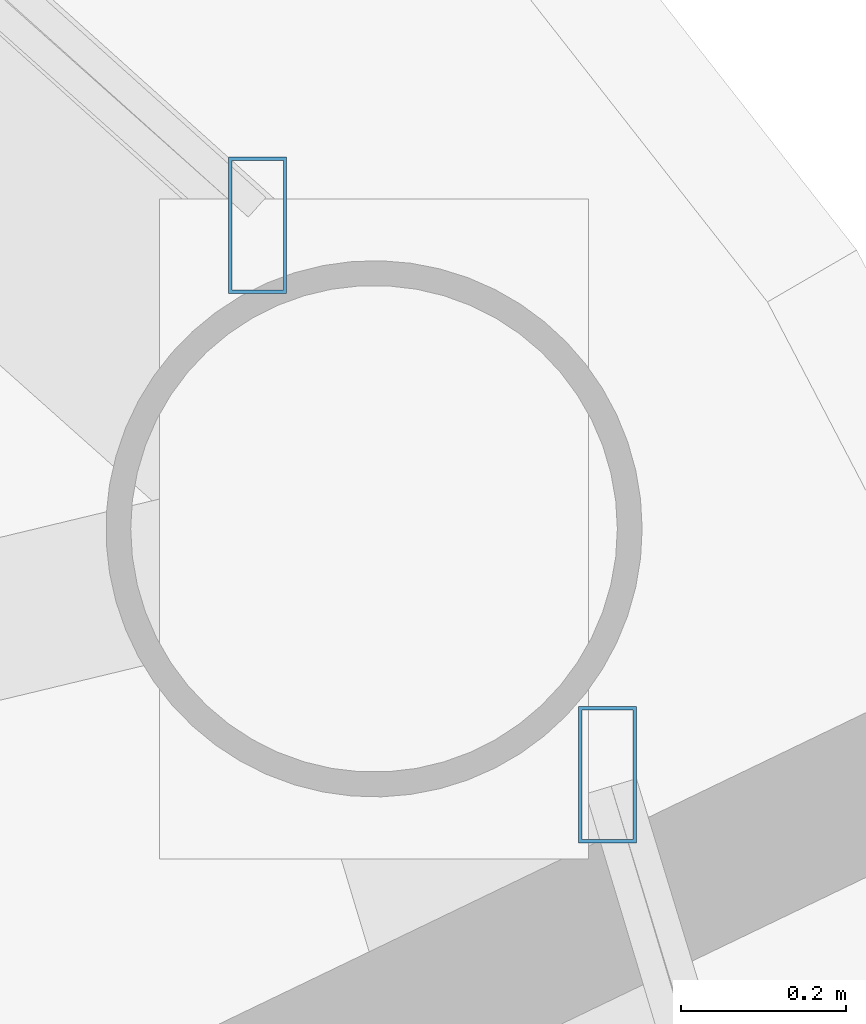
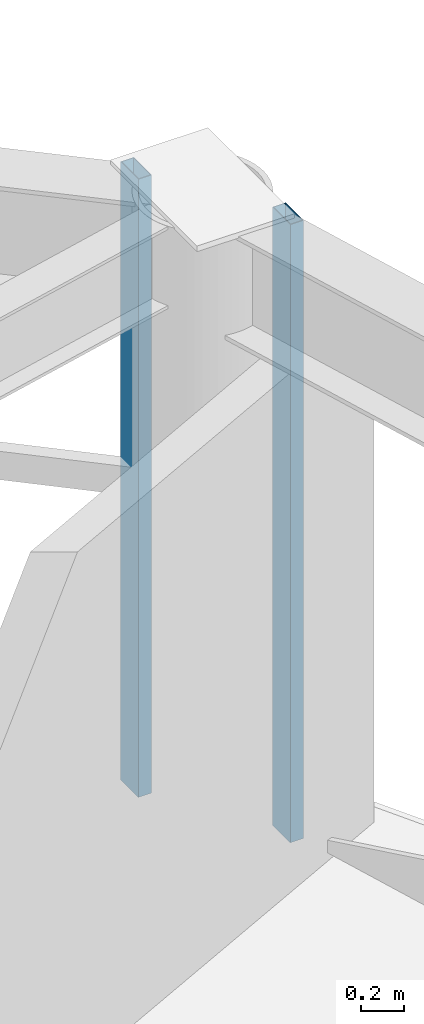
# One storey, part 15 of 28: 2 members, 2 elements without a shape of their own.
"""IFC4 building model written with IfcOpenShell, lengths in metres."""

from ifc_helpers import new_model, si_unit, direction, frame, origin, origin_2d, place, context, subcontext, project, spatial, hollow_rectangle, extrude, material, layer, layer_set, material_profile, profile_set, type_object, element, aggregate, save


model = new_model("IFC4")

# Units and contexts
model_context = context("Model", 3, precision=1e-05, world=origin(), true_north=direction((0.0, 1.0)))
body_context = subcontext(model_context, "Body", "Model", "MODEL_VIEW")
ifc_project = project(units=[si_unit("LENGTHUNIT", "METRE"), si_unit("AREAUNIT", "SQUARE_METRE"), si_unit("VOLUMEUNIT", "CUBIC_METRE"), si_unit("PLANEANGLEUNIT", "RADIAN"), si_unit("MASSUNIT", "GRAM", prefix="KILO")], contexts=[model_context])

# Site, building, storey
site_placement = place(None, origin())
site = spatial("IfcSite", under=ifc_project, at=site_placement, CompositionType="ELEMENT")
building_placement = place(site_placement, origin())
building = spatial("IfcBuilding", under=site, at=building_placement, Name="Vantalir Tower", CompositionType="ELEMENT")
storey_placement = place(building_placement, frame((0.0, 0.0, 238.64990234375)))
storey = spatial("IfcBuildingStorey", under=building, at=storey_placement, Name="L60", CompositionType="ELEMENT", Elevation=238.64990234375)

# Curtain wall, member
ifc_material_1 = material(Name="Champagne-silver PVDF aluminium and double-silver Low-E glass", Category="aluminium")
ifc_layer = layer(ifc_material_1, 0.2099609375)
ifc_layer_set = layer_set([ifc_layer], Name="Champagne-silver PVDF aluminium and double-silver Low-E glass")
curtain_wall_type = type_object("IfcCurtainWallType", Name="CW-DIAMOND-Z3", PredefinedType="USERDEFINED", material=ifc_layer_set)
curtain_wall_1_placement = place(storey_placement, origin())
curtain_wall_1 = element("IfcCurtainWall", 1, at=curtain_wall_1_placement, inside=storey, type_object=curtain_wall_type, Name="L60 Quilted Pyramid-Diamond Curtain Wall S01", ObjectType="UNITISED CURTAIN WALL", PredefinedType="USERDEFINED")
ifc_material_2 = material(Name="Champagne-silver PVDF aluminium 6063-T6", Category="aluminium")
ifc_material_profile = material_profile(ifc_material_2, hollow_rectangle(XDim=0.070068359375, YDim=0.1650390625, WallThickness=0.00390625, at=origin_2d()), Name="Champagne-silver PVDF aluminium 6063-T6")
ifc_profile_set = profile_set([ifc_material_profile], Name="Champagne-silver PVDF aluminium 6063-T6")
member_type = type_object("IfcMemberType", Name="CWM-165x70", PredefinedType="MULLION", material=ifc_profile_set)
member_1_placement = place(storey_placement, frame((50.591064453125, 34.367919921875, 0.045166015625), z_axis=(0.0, 0.0, 1.0), x_axis=(1.0, 0.0, 0.0)))
member_1 = element("IfcMember", 2, at=member_1_placement, type_object=member_type, Name="CW-L60-S01 Mullion 2", PredefinedType="MULLION", context=body_context, shape_type="SweptSolid", body=[
    extrude(hollow_rectangle(XDim=0.070068359375, YDim=0.1650390625, WallThickness=0.00390625, at=origin_2d()), origin(), (0.0, 0.0, 1.0), 3.47998046875),
])
aggregate(curtain_wall_1, [member_1])

curtain_wall_2_placement = place(storey_placement, origin())
curtain_wall_2 = element("IfcCurtainWall", 3, at=curtain_wall_2_placement, inside=storey, type_object=curtain_wall_type, Name="L60 Quilted Pyramid-Diamond Curtain Wall S02", ObjectType="UNITISED CURTAIN WALL", PredefinedType="USERDEFINED")
member_2_placement = place(storey_placement, frame((50.1669921875, 35.033935546875, 0.045166015625), z_axis=(0.0, 0.0, 1.0), x_axis=(1.0, 0.0, 0.0)))
member_2 = element("IfcMember", 4, at=member_2_placement, type_object=member_type, Name="CW-L60-S02 Mullion 1", PredefinedType="MULLION", context=body_context, shape_type="SweptSolid", body=[
    extrude(hollow_rectangle(XDim=0.070068359375, YDim=0.1650390625, WallThickness=0.00390625, at=origin_2d()), origin(), (0.0, 0.0, 1.0), 3.47998046875),
])
aggregate(curtain_wall_2, [member_2])

save(model, "model.ifc")
